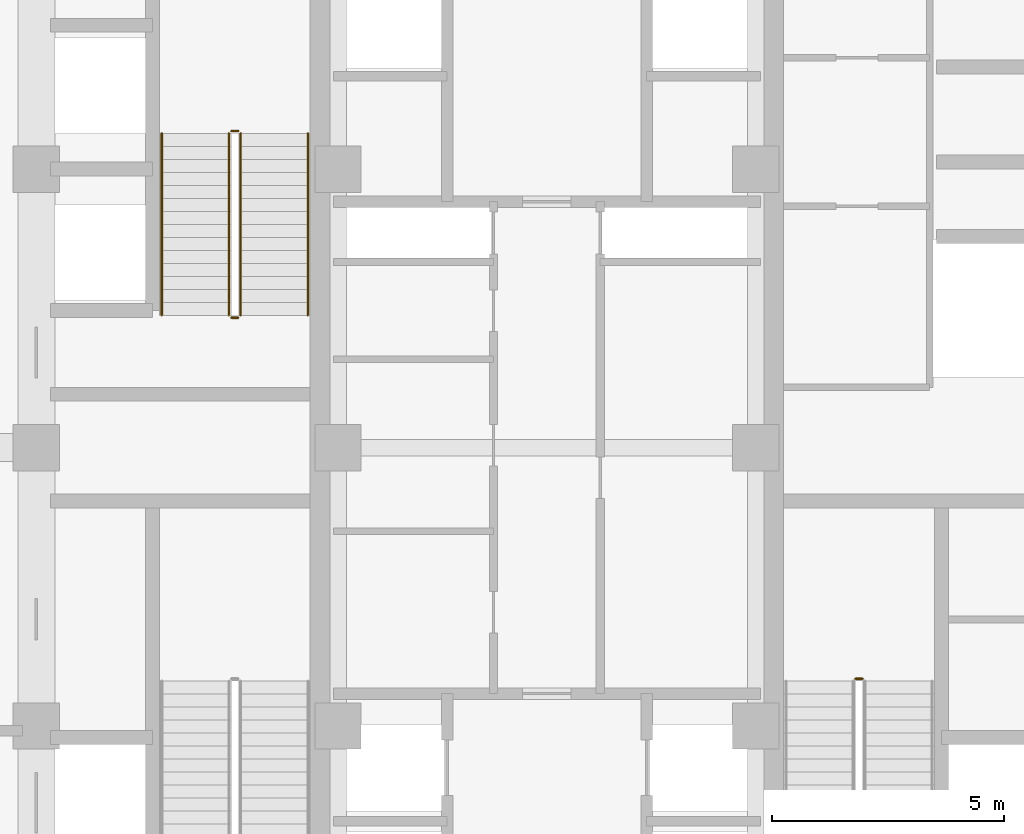
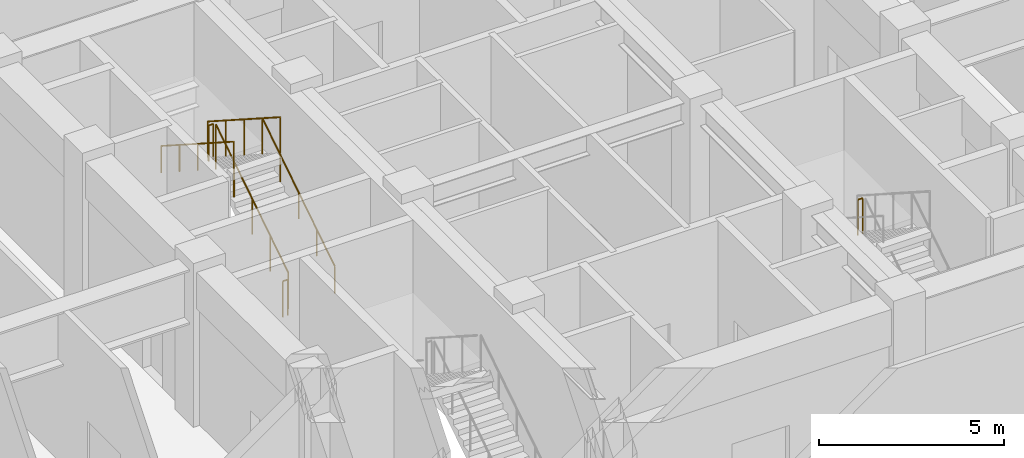
# One storey, part 27 of 28: 7 railings.
"""IFC4 building model written with IfcOpenShell, lengths in metres."""

from ifc_helpers import new_model, si_unit, direction, frame, origin, origin_2d, place, context, subcontext, project, spatial, circle, extrude, source, transform, mapped, material, type_object, element, save


model = new_model("IFC4")

# Units and contexts
model_context = context("Model", 3, precision=1e-05, world=origin(), true_north=direction((0.0, 1.0)))
body_context = subcontext(model_context, "Body", "Model", "MODEL_VIEW")
ifc_project = project(units=[si_unit("LENGTHUNIT", "METRE"), si_unit("AREAUNIT", "SQUARE_METRE"), si_unit("VOLUMEUNIT", "CUBIC_METRE"), si_unit("PLANEANGLEUNIT", "RADIAN"), si_unit("MASSUNIT", "GRAM", prefix="KILO")], contexts=[model_context])

# Site, building, storey
site_placement = place(None, origin())
site = spatial("IfcSite", under=ifc_project, at=site_placement, CompositionType="ELEMENT")
building_placement = place(site_placement, origin())
building = spatial("IfcBuilding", under=site, at=building_placement, Name="Khorayat Bourse Tower", CompositionType="ELEMENT")
storey_placement = place(building_placement, frame((0.0, 0.0, 6.60009765625)))
storey = spatial("IfcBuildingStorey", under=building, at=storey_placement, Name="L01", CompositionType="ELEMENT", Elevation=6.60009765625)

# Railings
ifc_material_1 = material(Name="Powder-coated steel balustrade", Category="steel")
railing_type_1 = type_object("IfcRailingType", Name="RLG-GUARD-1200", PredefinedType="GUARDRAIL", material=ifc_material_1)
shared_shape_1 = source(origin(), body_context, "Body", "SweptSolid", [
    extrude(circle(Radius=0.02392578125, at=origin_2d()), frame((0.0, 0.0, 1.17578125), z_axis=(-1.0, 0.0, 0.0), x_axis=(0.0, -1.0, 0.0)), (0.0, 0.0, 1.0), 0.150146484375),
    extrude(circle(Radius=0.02099609375, at=origin_2d()), origin(), (0.0, 0.0, 1.0), 1.15185546875),
    extrude(circle(Radius=0.02099609375, at=origin_2d()), frame((-0.150146484375, 0.0, 0.0)), (0.0, 0.0, 1.0), 1.15185546875),
])
for number, where, name in (
    (1, (-6.64990234375, 6.820068359375, 2.699951171875), "L01 ST-2 stair guard 2"),
    (2, (-6.64990234375, 2.800048828125, 0.0), "L01 ST-2 stair guard 4"),
    (3, (6.800048828125, -4.97998046875, 2.699951171875), "L01 ST-3 stair guard 2"),
):
    element("IfcRailing", number, at=place(storey_placement, frame(where)), inside=storey, type_object=railing_type_1, Name=name, PredefinedType="GUARDRAIL", context=body_context, shape_type="MappedRepresentation", body=[
        mapped(shared_shape_1, transform((0.0, 0.0, 0.0), scale=1.0)),
    ])
shared_shape_2 = source(origin(), body_context, "Body", "SweptSolid", [
    extrude(circle(Radius=0.02392578125, at=origin_2d()), frame((0.0, 0.0, 1.17578125), z_axis=(0.0, 0.841171666519, 0.540768182723), x_axis=(-1.0, 0.0, 0.0)), (0.0, 0.0, 1.0), 4.66015625),
    extrude(circle(Radius=0.02099609375, at=origin_2d()), origin(), (0.0, 0.0, 1.0), 1.15185546875),
    extrude(circle(Radius=0.02099609375, at=origin_2d()), frame((0.0, 0.97998046875, 0.6298828125)), (0.0, 0.0, 1.0), 1.15185546875),
    extrude(circle(Radius=0.02099609375, at=origin_2d()), frame((0.0, 1.9599609375, 1.260009765625)), (0.0, 0.0, 1.0), 1.15185546875),
    extrude(circle(Radius=0.02099609375, at=origin_2d()), frame((0.0, 2.93994140625, 1.89013671875)), (0.0, 0.0, 1.0), 1.15185546875),
    extrude(circle(Radius=0.02099609375, at=origin_2d()), frame((0.0, 3.919921875, 2.52001953125)), (0.0, 0.0, 1.0), 1.15185546875),
])
railing_1_placement = place(storey_placement, frame((-6.60009765625, 2.85009765625, 0.179931640625)))
element("IfcRailing", 4, at=railing_1_placement, inside=storey, type_object=railing_type_1, Name="L01 ST-2 stair guard 1", PredefinedType="GUARDRAIL", context=body_context, shape_type="MappedRepresentation", body=[
    mapped(shared_shape_2, transform((0.0, 0.0, 0.0), scale=1.0)),
])
shared_shape_3 = source(origin(), body_context, "Body", "SweptSolid", [
    extrude(circle(Radius=0.02392578125, at=origin_2d()), frame((0.0, 0.0, 1.17578125), z_axis=(0.0, -0.841171666519, 0.540768182723), x_axis=(1.0, 0.0, 0.0)), (0.0, 0.0, 1.0), 4.66015625),
    extrude(circle(Radius=0.02099609375, at=origin_2d()), origin(), (0.0, 0.0, 1.0), 1.15185546875),
    extrude(circle(Radius=0.02099609375, at=origin_2d()), frame((0.0, -0.97998046875, 0.6298828125)), (0.0, 0.0, 1.0), 1.15185546875),
    extrude(circle(Radius=0.02099609375, at=origin_2d()), frame((0.0, -1.9599609375, 1.260009765625)), (0.0, 0.0, 1.0), 1.15185546875),
    extrude(circle(Radius=0.02099609375, at=origin_2d()), frame((0.0, -2.93994140625, 1.89013671875)), (0.0, 0.0, 1.0), 1.15185546875),
    extrude(circle(Radius=0.02099609375, at=origin_2d()), frame((0.0, -3.919921875, 2.52001953125)), (0.0, 0.0, 1.0), 1.15185546875),
])
railing_2_placement = place(storey_placement, frame((-6.85009765625, 6.77001953125, 2.8798828125)))
element("IfcRailing", 5, at=railing_2_placement, inside=storey, type_object=railing_type_1, Name="L01 ST-2 stair guard 3", PredefinedType="GUARDRAIL", context=body_context, shape_type="MappedRepresentation", body=[
    mapped(shared_shape_3, transform((0.0, 0.0, 0.0), scale=1.0)),
])
ifc_material_2 = material(Name="Brushed bronze stainless-steel handrail", Category="steel")
railing_type_2 = type_object("IfcRailingType", Name="RLG-HAND-900", PredefinedType="HANDRAIL", material=ifc_material_2)
shared_shape_4 = source(origin(), body_context, "Body", "SweptSolid", [
    extrude(circle(Radius=0.02392578125, at=origin_2d()), frame((0.0, 0.0, 0.8759765625), z_axis=(0.0, 0.841171666519, 0.540768182723), x_axis=(-1.0, 0.0, 0.0)), (0.0, 0.0, 1.0), 4.66015625),
    extrude(circle(Radius=0.02099609375, at=origin_2d()), origin(), (0.0, 0.0, 1.0), 0.851806640625),
    extrude(circle(Radius=0.02099609375, at=origin_2d()), frame((0.0, 0.97998046875, 0.6298828125)), (0.0, 0.0, 1.0), 0.851806640625),
    extrude(circle(Radius=0.02099609375, at=origin_2d()), frame((0.0, 1.9599609375, 1.260009765625)), (0.0, 0.0, 1.0), 0.851806640625),
    extrude(circle(Radius=0.02099609375, at=origin_2d()), frame((0.0, 2.93994140625, 1.89013671875)), (0.0, 0.0, 1.0), 0.851806640625),
    extrude(circle(Radius=0.02099609375, at=origin_2d()), frame((0.0, 3.919921875, 2.52001953125)), (0.0, 0.0, 1.0), 0.851806640625),
])
railing_3_placement = place(storey_placement, frame((-5.14990234375, 2.85009765625, 0.179931640625)))
element("IfcRailing", 6, at=railing_3_placement, inside=storey, type_object=railing_type_2, Name="L01 ST-2 stair handrail 1", PredefinedType="HANDRAIL", context=body_context, shape_type="MappedRepresentation", body=[
    mapped(shared_shape_4, transform((0.0, 0.0, 0.0), scale=1.0)),
])
shared_shape_5 = source(origin(), body_context, "Body", "SweptSolid", [
    extrude(circle(Radius=0.02392578125, at=origin_2d()), frame((0.0, 0.0, 0.8759765625), z_axis=(0.0, -0.841171666519, 0.540768182723), x_axis=(1.0, 0.0, 0.0)), (0.0, 0.0, 1.0), 4.66015625),
    extrude(circle(Radius=0.02099609375, at=origin_2d()), origin(), (0.0, 0.0, 1.0), 0.851806640625),
    extrude(circle(Radius=0.02099609375, at=origin_2d()), frame((0.0, -0.97998046875, 0.6298828125)), (0.0, 0.0, 1.0), 0.851806640625),
    extrude(circle(Radius=0.02099609375, at=origin_2d()), frame((0.0, -1.9599609375, 1.260009765625)), (0.0, 0.0, 1.0), 0.851806640625),
    extrude(circle(Radius=0.02099609375, at=origin_2d()), frame((0.0, -2.93994140625, 1.89013671875)), (0.0, 0.0, 1.0), 0.851806640625),
    extrude(circle(Radius=0.02099609375, at=origin_2d()), frame((0.0, -3.919921875, 2.52001953125)), (0.0, 0.0, 1.0), 0.851806640625),
])
railing_4_placement = place(storey_placement, frame((-8.300048828125, 6.77001953125, 2.8798828125)))
element("IfcRailing", 7, at=railing_4_placement, inside=storey, type_object=railing_type_2, Name="L01 ST-2 stair handrail 2", PredefinedType="HANDRAIL", context=body_context, shape_type="MappedRepresentation", body=[
    mapped(shared_shape_5, transform((0.0, 0.0, 0.0), scale=1.0)),
])

save(model, "model.ifc")
